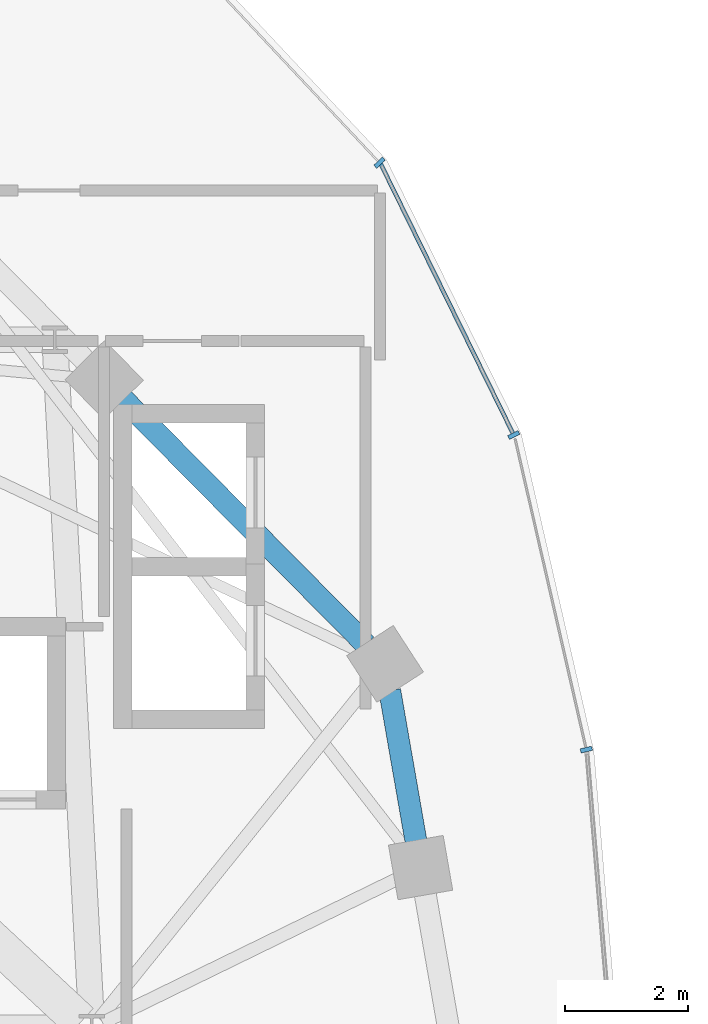
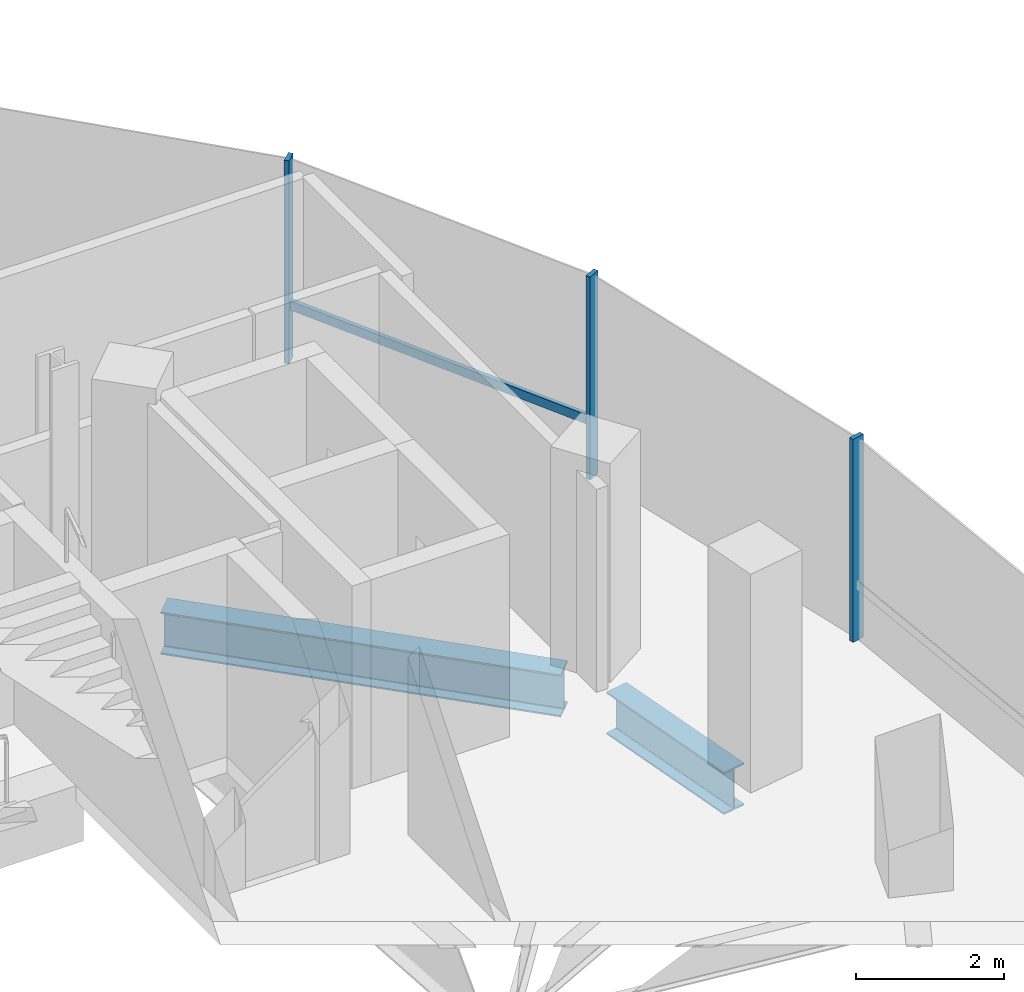
# One storey, part 7 of 25: 4 members, 2 beams, 1 element without a shape of its own.
"""IFC4 building model written with IfcOpenShell, lengths in metres."""

from ifc_helpers import new_model, si_unit, direction, frame, origin, origin_2d, place, context, subcontext, project, spatial, rectangle, i_section, extrude, material, material_profile, profile_set, type_object, element, aggregate, save


model = new_model("IFC4")

# Units and contexts
model_context = context("Model", 3, precision=1e-05, world=origin(), true_north=direction((0.0, 1.0)))
body_context = subcontext(model_context, "Body", "Model", "MODEL_VIEW")
ifc_project = project(units=[si_unit("LENGTHUNIT", "METRE"), si_unit("AREAUNIT", "SQUARE_METRE"), si_unit("VOLUMEUNIT", "CUBIC_METRE"), si_unit("PLANEANGLEUNIT", "RADIAN"), si_unit("MASSUNIT", "GRAM", prefix="KILO"), si_unit("THERMODYNAMICTEMPERATUREUNIT", "KELVIN"), si_unit("POWERUNIT", "WATT")], contexts=[model_context])

# Site, building, storey
site_placement = place(None, origin())
site = spatial("IfcSite", under=ifc_project, at=site_placement, CompositionType="ELEMENT")
building_placement = place(site_placement, origin())
building = spatial("IfcBuilding", under=site, at=building_placement, Name="Cundina Bronze Exchange", CompositionType="ELEMENT")
storey_placement = place(building_placement, frame((0.0, 0.0, 206.199951171875)))
storey = spatial("IfcBuildingStorey", under=building, at=storey_placement, Name="L54", CompositionType="ELEMENT", Elevation=206.199951171875)

# Beams
ifc_material_1 = material(Name="Steel ASTM A992 Grade 50", Category="steel")
ifc_material_profile_1 = material_profile(ifc_material_1, i_section(OverallWidth=0.35498046875, OverallDepth=0.695068359375, WebThickness=0.015380859375, FlangeThickness=0.02490234375, FilletRadius=0.01806640625, at=origin_2d()), Name="W27X146", Category="steel")
ifc_profile_set_1 = profile_set([ifc_material_profile_1], Name="Steel ASTM A992 Grade 50")
beam_type = type_object("IfcBeamType", Name="BM-RING-W27", PredefinedType="USERDEFINED", material=ifc_profile_set_1)
beam_1_placement = place(storey_placement, frame((-16.2001953125, 6.931396484375, -0.607421875), z_axis=(-0.171628556628, 0.985161732179, 0.0), x_axis=(-0.985161732179, -0.171628556628, 0.0)))
element("IfcBeam", 1, at=beam_1_placement, inside=storey, type_object=beam_type, Name="L54 W Perimeter Ring Girder 01", ObjectType="GIRDER", PredefinedType="USERDEFINED", context=body_context, shape_type="SweptSolid", body=[
    extrude(i_section(OverallWidth=0.35498046875, OverallDepth=0.695068359375, WebThickness=0.015380859375, FlangeThickness=0.02490234375, FilletRadius=0.01806640625, at=origin_2d()), origin(), (0.0, 0.0, 1.0), 2.4736328125),
])
beam_2_placement = place(storey_placement, frame((-17.008056640625, 10.111328125, -0.607421875), z_axis=(-0.703211928763, 0.710980297368, 0.0), x_axis=(-0.710980297368, -0.703211928763, 0.0)))
element("IfcBeam", 2, at=beam_2_placement, inside=storey, type_object=beam_type, Name="L54 W Perimeter Ring Girder 02", ObjectType="GIRDER", PredefinedType="USERDEFINED", context=body_context, shape_type="SweptSolid", body=[
    extrude(i_section(OverallWidth=0.35498046875, OverallDepth=0.695068359375, WebThickness=0.015380859375, FlangeThickness=0.02490234375, FilletRadius=0.01806640625, at=origin_2d()), origin(), (0.0, 0.0, 1.0), 5.593994140625),
])

# Curtain wall, members
ifc_material_2 = material(Name="Anodised Bronze Aluminium 6063-T6", Category="aluminium")
curtain_wall_type = type_object("IfcCurtainWallType", Name="CWS-UPP-OFF", PredefinedType="NOTDEFINED", material=ifc_material_2)
curtain_wall_placement = place(storey_placement, origin())
curtain_wall = element("IfcCurtainWall", 3, at=curtain_wall_placement, inside=storey, type_object=curtain_wall_type, Name="L54 CW-05 Curtain Wall Run CWR-L54-W1", PredefinedType="NOTDEFINED")
ifc_material_profile_2 = material_profile(ifc_material_2, rectangle(XDim=0.070068359375, YDim=0.18994140625, at=origin_2d()), Name="AL70X190", Category="aluminium")
ifc_profile_set_2 = profile_set([ifc_material_profile_2], Name="Anodised Bronze Aluminium 6063-T6")
member_type_1 = type_object("IfcMemberType", Name="CWM-MUL-190", PredefinedType="MULLION", material=ifc_profile_set_2)
member_1_placement = place(storey_placement, frame((-13.43994140625, 8.4111328125, 0.0), z_axis=(0.0, 0.0, 1.0), x_axis=(-0.223250116011, 0.974761194191, 0.0)))
member_1 = element("IfcMember", 4, at=member_1_placement, type_object=member_type_1, Name="CW-05 Mullion 2", PredefinedType="MULLION", context=body_context, shape_type="SweptSolid", body=[
    extrude(rectangle(XDim=0.070068359375, YDim=0.18994140625, at=origin_2d()), origin(), (0.0, 0.0, 1.0), 3.340087890625),
])
member_2_placement = place(storey_placement, frame((-14.61572265625, 13.50732421875, 0.0), z_axis=(0.0, 0.0, 1.0), x_axis=(-0.440566004113, 0.897720221461, 0.0)))
member_2 = element("IfcMember", 5, at=member_2_placement, type_object=member_type_1, Name="CW-05 Mullion 3", PredefinedType="MULLION", context=body_context, shape_type="SweptSolid", body=[
    extrude(rectangle(XDim=0.070068359375, YDim=0.18994140625, at=origin_2d()), origin(), (0.0, 0.0, 1.0), 3.340087890625),
])
member_3_placement = place(storey_placement, frame((-16.790283203125, 17.91796875, 0.0), z_axis=(0.0, 0.0, 1.0), x_axis=(-0.684292606175, 0.729207535023, 0.0)))
member_3 = element("IfcMember", 6, at=member_3_placement, type_object=member_type_1, Name="CW-05 Mullion 4", PredefinedType="MULLION", context=body_context, shape_type="SweptSolid", body=[
    extrude(rectangle(XDim=0.070068359375, YDim=0.18994140625, at=origin_2d()), origin(), (0.0, 0.0, 1.0), 3.340087890625),
])
ifc_material_profile_3 = material_profile(ifc_material_2, rectangle(XDim=0.06494140625, YDim=0.14990234375, at=origin_2d()), Name="AL65X150", Category="aluminium")
ifc_profile_set_3 = profile_set([ifc_material_profile_3], Name="Anodised Bronze Aluminium 6063-T6")
member_type_2 = type_object("IfcMemberType", Name="CWM-TRN-150", PredefinedType="USERDEFINED", material=ifc_profile_set_3)
member_4_placement = place(storey_placement, frame((-14.6328125, 13.5419921875, 0.920166015625), z_axis=(-0.440483110889, 0.897760897467, 0.0), x_axis=(-0.897760897467, -0.440483110889, 0.0)))
member_4 = element("IfcMember", 7, at=member_4_placement, type_object=member_type_2, Name="CW-05 Spandrel Transom 3", ObjectType="TRANSOM", PredefinedType="USERDEFINED", context=body_context, shape_type="SweptSolid", body=[
    extrude(rectangle(XDim=0.06494140625, YDim=0.14990234375, at=origin_2d()), origin(), (0.0, 0.0, 1.0), 4.855224609375),
])
aggregate(curtain_wall, [member_1, member_2, member_4, member_3])

save(model, "model.ifc")
